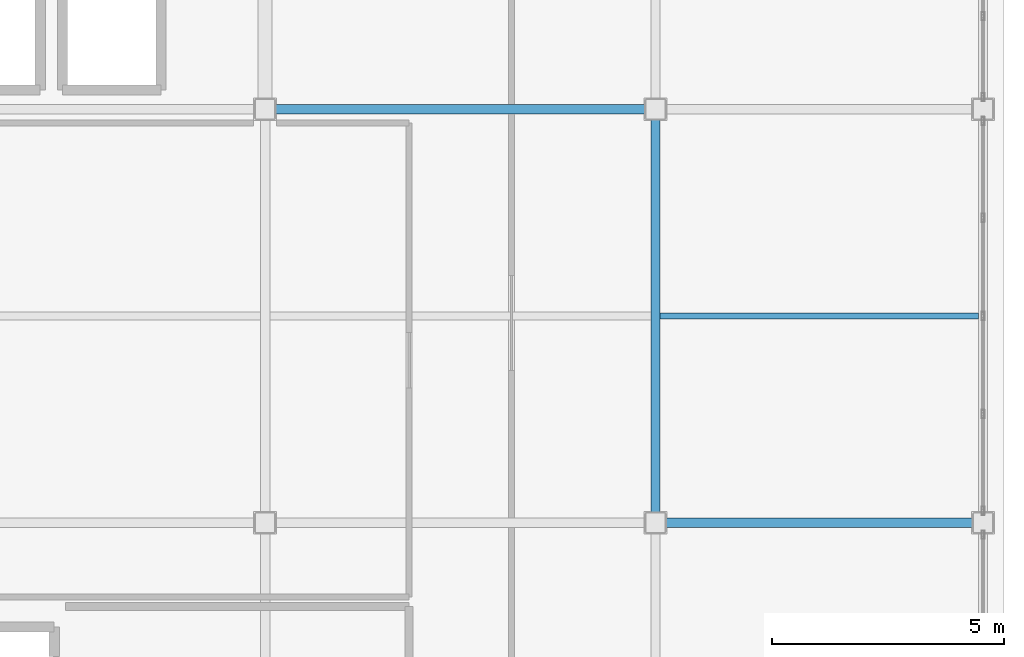
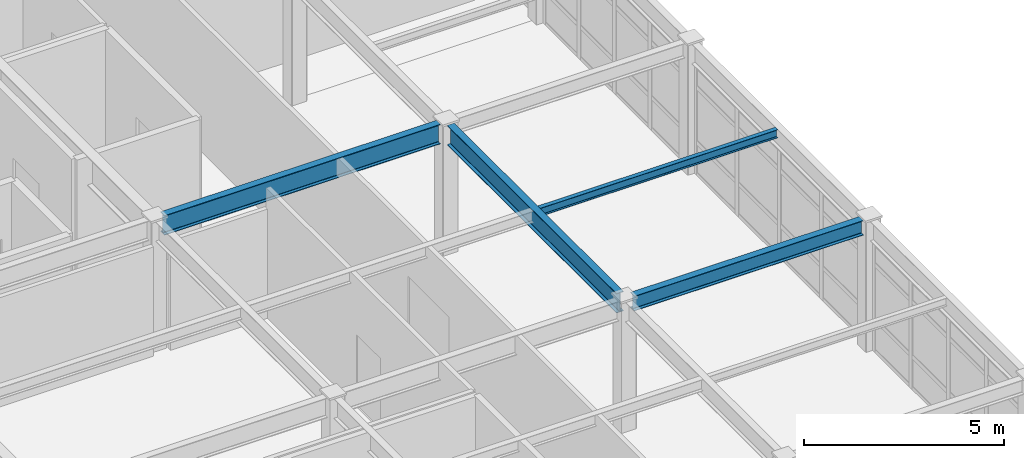
# One storey, part 12 of 34: 4 beams.
"""IFC4 building model written with IfcOpenShell, lengths in metres."""

from ifc_helpers import new_model, si_unit, direction, frame, origin, origin_2d, place, context, subcontext, project, spatial, i_section, extrude, material, material_profile, profile_set, type_object, element, save


model = new_model("IFC4")

# Units and contexts
model_context = context("Model", 3, precision=1e-05, world=origin(), true_north=direction((0.0, 1.0)))
body_context = subcontext(model_context, "Body", "Model", "MODEL_VIEW")
ifc_project = project(units=[si_unit("LENGTHUNIT", "METRE"), si_unit("AREAUNIT", "SQUARE_METRE"), si_unit("VOLUMEUNIT", "CUBIC_METRE"), si_unit("PLANEANGLEUNIT", "RADIAN"), si_unit("MASSUNIT", "GRAM", prefix="KILO")], contexts=[model_context])

# Site, building, storey
site_placement = place(None, origin())
site = spatial("IfcSite", under=ifc_project, at=site_placement, CompositionType="ELEMENT")
building_placement = place(site_placement, origin())
building = spatial("IfcBuilding", under=site, at=building_placement, Name="Kazehara Bluff Congress Hotel", CompositionType="ELEMENT")
storey_placement = place(building_placement, frame((0.0, 0.0, 46.199951171875)))
storey = spatial("IfcBuildingStorey", under=building, at=storey_placement, Name="L11", CompositionType="ELEMENT", Elevation=46.199951171875)

# Beams
ifc_material_1 = material(Name="Steel SN490B", Category="steel")
ifc_material_profile_1 = material_profile(ifc_material_1, i_section(OverallWidth=0.199951171875, OverallDepth=0.60009765625, WebThickness=0.010986328125, FlangeThickness=0.01708984375, FilletRadius=0.012939453125, at=origin_2d()))
ifc_profile_set_1 = profile_set([ifc_material_profile_1], Name="Steel SN490B")
beam_type_1 = type_object("IfcBeamType", Name="TP-G-02", PredefinedType="BEAM", material=ifc_profile_set_1)
beam_1_placement = place(storey_placement, frame((160.5, 32.22509765625, 3.650146484375), z_axis=(0.0, 1.0, 0.0), x_axis=(-1.0, 0.0, 0.0)))
element("IfcBeam", 1, at=beam_1_placement, inside=storey, type_object=beam_type_1, Name="L11 girder G-02 16", PredefinedType="BEAM", context=body_context, shape_type="SweptSolid", body=[
    extrude(i_section(OverallWidth=0.199951171875, OverallDepth=0.60009765625, WebThickness=0.010986328125, FlangeThickness=0.01708984375, FilletRadius=0.012939453125, at=origin_2d()), origin(), (0.0, 0.0, 1.0), 8.449951171875),
])
beam_2_placement = place(storey_placement, frame((152.324951171875, 40.89990234375, 3.650146484375), z_axis=(1.0, 0.0, 0.0), x_axis=(0.0, 1.0, 0.0)))
element("IfcBeam", 2, at=beam_2_placement, inside=storey, type_object=beam_type_1, Name="L11 girder G-02 35", PredefinedType="BEAM", context=body_context, shape_type="SweptSolid", body=[
    extrude(i_section(OverallWidth=0.199951171875, OverallDepth=0.60009765625, WebThickness=0.010986328125, FlangeThickness=0.01708984375, FilletRadius=0.012939453125, at=origin_2d()), origin(), (0.0, 0.0, 1.0), 7.949951171875),
])
ifc_material_2 = material(Name="Steel SN490B", Category="steel")
ifc_material_profile_2 = material_profile(ifc_material_2, i_section(OverallWidth=0.199951171875, OverallDepth=0.449951171875, WebThickness=0.009033203125, FlangeThickness=0.013916015625, FilletRadius=0.012939453125, at=origin_2d()))
ifc_profile_set_2 = profile_set([ifc_material_profile_2], Name="Steel SN490B")
beam_type_2 = type_object("IfcBeamType", Name="TP-G-11", PredefinedType="BEAM", material=ifc_profile_set_2)
beam_3_placement = place(storey_placement, frame((160.72509765625, 32.0, 3.72509765625), z_axis=(1.0, 0.0, 0.0), x_axis=(0.0, 1.0, 0.0)))
element("IfcBeam", 3, at=beam_3_placement, inside=storey, type_object=beam_type_2, Name="L11 girder G-11 33", PredefinedType="BEAM", context=body_context, shape_type="SweptSolid", body=[
    extrude(i_section(OverallWidth=0.199951171875, OverallDepth=0.449951171875, WebThickness=0.009033203125, FlangeThickness=0.013916015625, FilletRadius=0.012939453125, at=origin_2d()), origin(), (0.0, 0.0, 1.0), 6.599853515625),
])
ifc_material_3 = material(Name="Steel SN400B", Category="steel")
ifc_material_profile_3 = material_profile(ifc_material_3, i_section(OverallWidth=0.125, OverallDepth=0.25, WebThickness=0.006103515625, FlangeThickness=0.009033203125, FilletRadius=0.008056640625, at=origin_2d()))
ifc_profile_set_3 = profile_set([ifc_material_profile_3], Name="Steel SN400B")
beam_type_3 = type_object("IfcBeamType", Name="TP-J-05", PredefinedType="JOIST", material=ifc_profile_set_3)
beam_4_placement = place(storey_placement, frame((160.60009765625, 36.449951171875, 3.824951171875), z_axis=(1.0, 0.0, 0.0), x_axis=(0.0, 1.0, 0.0)))
element("IfcBeam", 4, at=beam_4_placement, inside=storey, type_object=beam_type_3, Name="L11 secondary joist J-05 9", PredefinedType="JOIST", context=body_context, shape_type="SweptSolid", body=[
    extrude(i_section(OverallWidth=0.125, OverallDepth=0.25, WebThickness=0.006103515625, FlangeThickness=0.009033203125, FilletRadius=0.008056640625, at=origin_2d()), origin(), (0.0, 0.0, 1.0), 6.849853515625),
])

save(model, "model.ifc")
